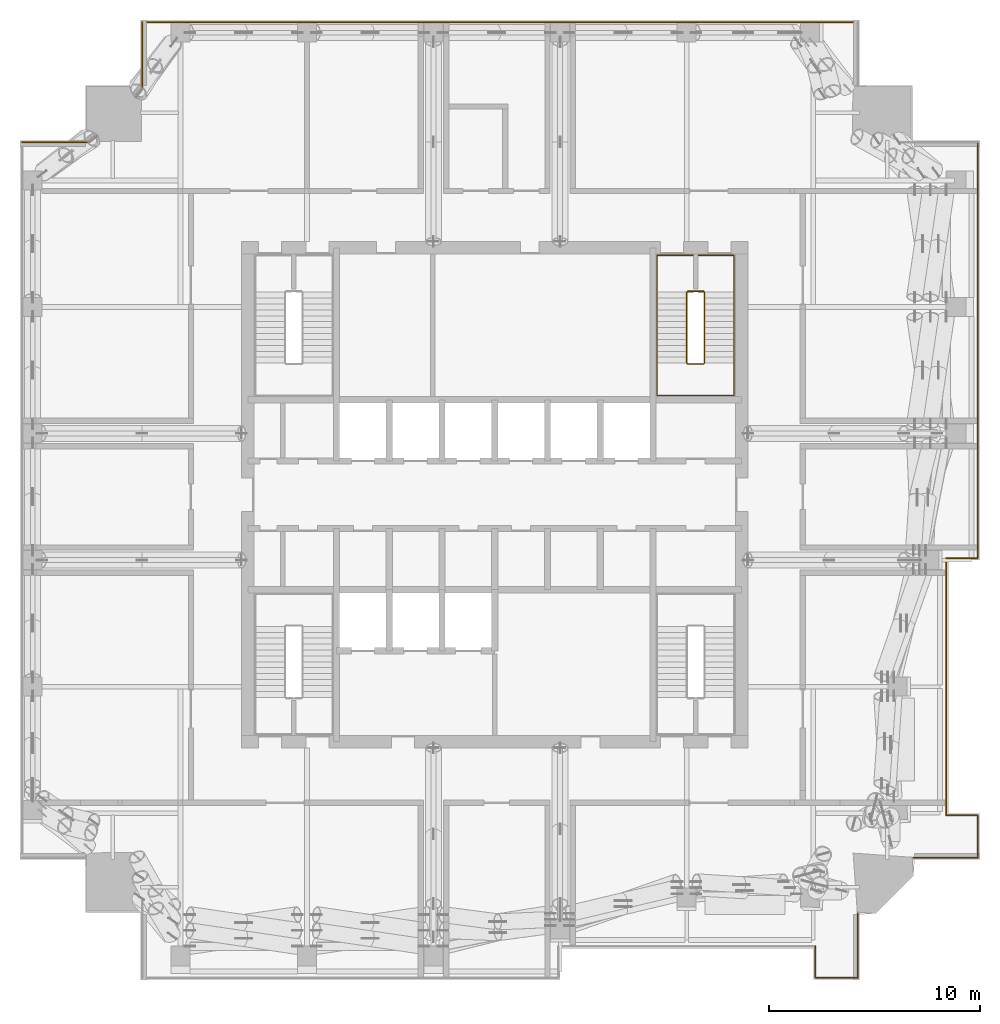
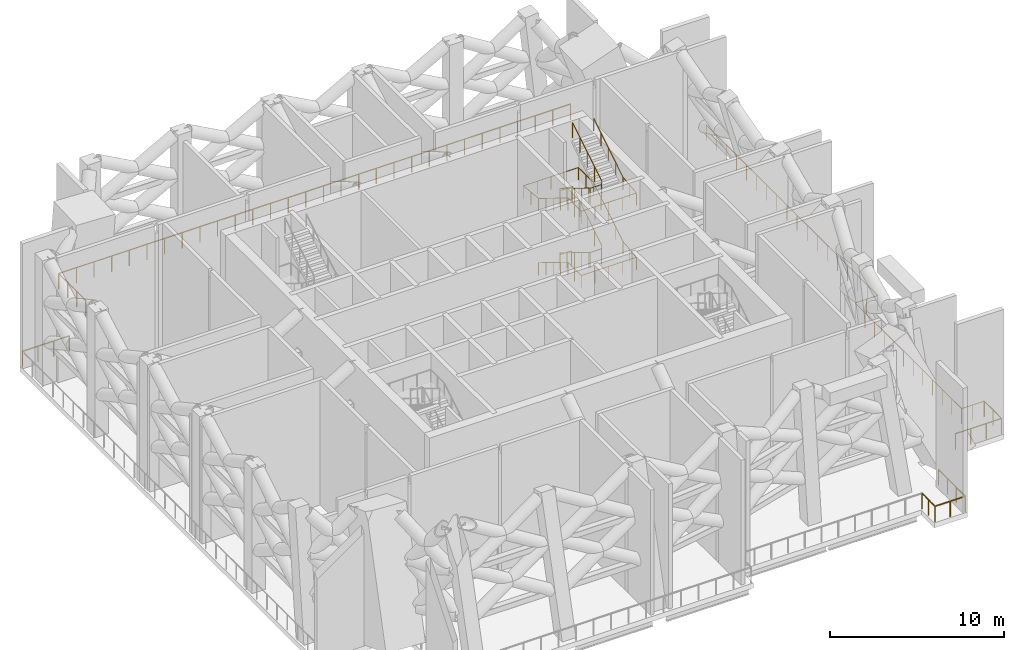
# One storey, part 17 of 18: 14 railings.
"""IFC4 building model written with IfcOpenShell, lengths in metres."""

from ifc_helpers import new_model, si_unit, direction, frame, origin, origin_2d, place, context, subcontext, project, spatial, circle, extrude, material, type_object, element, save


model = new_model("IFC4")

# Units and contexts
model_context = context("Model", 3, precision=1e-05, world=origin(), true_north=direction((0.0, 1.0)))
body_context = subcontext(model_context, "Body", "Model", "MODEL_VIEW")
ifc_project = project(units=[si_unit("LENGTHUNIT", "METRE"), si_unit("AREAUNIT", "SQUARE_METRE"), si_unit("VOLUMEUNIT", "CUBIC_METRE"), si_unit("PLANEANGLEUNIT", "RADIAN"), si_unit("MASSUNIT", "GRAM", prefix="KILO")], contexts=[model_context])

# Site, building, storey
site_placement = place(None, origin())
site = spatial("IfcSite", under=ifc_project, at=site_placement, CompositionType="ELEMENT")
building_placement = place(site_placement, origin())
building = spatial("IfcBuilding", under=site, at=building_placement, Name="Amberfall Residences", CompositionType="ELEMENT")
storey_placement = place(building_placement, frame((0.0, 0.0, 229.89990234375)))
storey = spatial("IfcBuildingStorey", under=building, at=storey_placement, Name="L62", CompositionType="ELEMENT", Elevation=229.89990234375)

# Railings
ifc_material_1 = material(Name="Bronze anodised aluminium and laminated glass", Category="aluminium")
railing_type_1 = type_object("IfcRailingType", Name="Refuge edge guard 1100", PredefinedType="GUARDRAIL", material=ifc_material_1)
railing_1_placement = place(storey_placement, frame((91.699951171875, 22.60009765625, 0.0)))
element("IfcRailing", 1, at=railing_1_placement, inside=storey, type_object=railing_type_1, Name="Refuge edge guard L62 1", PredefinedType="GUARDRAIL", context=body_context, shape_type="SweptSolid", body=[
    extrude(circle(Radius=0.02392578125, at=origin_2d()), frame((0.0, 0.0, 1.076171875), z_axis=(-1.0, 0.0, 0.0), x_axis=(0.0, -1.0, 0.0)), (0.0, 0.0, 1.0), 2.0),
    extrude(circle(Radius=0.02099609375, at=origin_2d()), origin(), (0.0, 0.0, 1.0), 1.052001953125),
    extrude(circle(Radius=0.02099609375, at=origin_2d()), frame((-1.0, 0.0, 0.0)), (0.0, 0.0, 1.0), 1.052001953125),
    extrude(circle(Radius=0.02099609375, at=origin_2d()), frame((-2.0, 0.0, 0.0)), (0.0, 0.0, 1.0), 1.052001953125),
])
railing_2_placement = place(storey_placement, frame((89.699951171875, 22.60009765625, 0.0)))
element("IfcRailing", 2, at=railing_2_placement, inside=storey, type_object=railing_type_1, Name="Refuge edge guard L62 2", PredefinedType="GUARDRAIL", context=body_context, shape_type="SweptSolid", body=[
    extrude(circle(Radius=0.02392578125, at=origin_2d()), frame((0.0, 0.0, 1.076171875), z_axis=(0.0, 1.0, 0.0), x_axis=(-1.0, 0.0, 0.0)), (0.0, 0.0, 1.0), 1.5),
    extrude(circle(Radius=0.02099609375, at=origin_2d()), origin(), (0.0, 0.0, 1.0), 1.052001953125),
    extrude(circle(Radius=0.02099609375, at=origin_2d()), frame((0.0, 0.75, 0.0)), (0.0, 0.0, 1.0), 1.052001953125),
    extrude(circle(Radius=0.02099609375, at=origin_2d()), frame((0.0, 1.5, 0.0)), (0.0, 0.0, 1.0), 1.052001953125),
])
railing_3_placement = place(storey_placement, frame((52.10009765625, 62.199951171875, 0.0)))
element("IfcRailing", 3, at=railing_3_placement, inside=storey, type_object=railing_type_1, Name="Refuge edge guard L62 9", PredefinedType="GUARDRAIL", context=body_context, shape_type="SweptSolid", body=[
    extrude(circle(Radius=0.02392578125, at=origin_2d()), frame((0.0, 0.0, 1.076171875), z_axis=(1.0, 0.0, 0.0), x_axis=(0.0, 1.0, 0.0)), (0.0, 0.0, 1.0), 3.108154296875),
    extrude(circle(Radius=0.02099609375, at=origin_2d()), origin(), (0.0, 0.0, 1.0), 1.052001953125),
    extrude(circle(Radius=0.02099609375, at=origin_2d()), frame((1.0361328125, 0.0, 0.0)), (0.0, 0.0, 1.0), 1.052001953125),
    extrude(circle(Radius=0.02099609375, at=origin_2d()), frame((2.072021484375, 0.0, 0.0)), (0.0, 0.0, 1.0), 1.052001953125),
    extrude(circle(Radius=0.02099609375, at=origin_2d()), frame((3.108154296875, 0.0, 0.0)), (0.0, 0.0, 1.0), 1.052001953125),
])
railing_4_placement = place(storey_placement, frame((57.800048828125, 64.791748046875, 0.0)))
element("IfcRailing", 4, at=railing_4_placement, inside=storey, type_object=railing_type_1, Name="Refuge edge guard L62 10", PredefinedType="GUARDRAIL", context=body_context, shape_type="SweptSolid", body=[
    extrude(circle(Radius=0.02392578125, at=origin_2d()), frame((0.0, 0.0, 1.076171875), z_axis=(0.0, 1.0, 0.0), x_axis=(-1.0, 0.0, 0.0)), (0.0, 0.0, 1.0), 3.108154296875),
    extrude(circle(Radius=0.02099609375, at=origin_2d()), origin(), (0.0, 0.0, 1.0), 1.052001953125),
    extrude(circle(Radius=0.02099609375, at=origin_2d()), frame((0.0, 1.0361328125, 0.0)), (0.0, 0.0, 1.0), 1.052001953125),
    extrude(circle(Radius=0.02099609375, at=origin_2d()), frame((0.0, 2.072021484375, 0.0)), (0.0, 0.0, 1.0), 1.052001953125),
    extrude(circle(Radius=0.02099609375, at=origin_2d()), frame((0.0, 3.108154296875, 0.0)), (0.0, 0.0, 1.0), 1.052001953125),
])
railing_5_placement = place(storey_placement, frame((57.800048828125, 67.89990234375, 0.0)))
element("IfcRailing", 5, at=railing_5_placement, inside=storey, type_object=railing_type_1, Name="Refuge edge guard L62 11", PredefinedType="GUARDRAIL", context=body_context, shape_type="SweptSolid", body=[
    extrude(circle(Radius=0.02392578125, at=origin_2d()), frame((0.0, 0.0, 1.076171875), z_axis=(1.0, 0.0, 0.0), x_axis=(0.0, 1.0, 0.0)), (0.0, 0.0, 1.0), 33.89990234375),
    extrude(circle(Radius=0.02099609375, at=origin_2d()), origin(), (0.0, 0.0, 1.0), 1.052001953125),
    extrude(circle(Radius=0.02099609375, at=origin_2d()), frame((1.1689453125, 0.0, 0.0)), (0.0, 0.0, 1.0), 1.052001953125),
    extrude(circle(Radius=0.02099609375, at=origin_2d()), frame((2.337890625, 0.0, 0.0)), (0.0, 0.0, 1.0), 1.052001953125),
    extrude(circle(Radius=0.02099609375, at=origin_2d()), frame((3.5068359375, 0.0, 0.0)), (0.0, 0.0, 1.0), 1.052001953125),
    extrude(circle(Radius=0.02099609375, at=origin_2d()), frame((4.67578125, 0.0, 0.0)), (0.0, 0.0, 1.0), 1.052001953125),
    extrude(circle(Radius=0.02099609375, at=origin_2d()), frame((5.8447265625, 0.0, 0.0)), (0.0, 0.0, 1.0), 1.052001953125),
    extrude(circle(Radius=0.02099609375, at=origin_2d()), frame((7.013671875, 0.0, 0.0)), (0.0, 0.0, 1.0), 1.052001953125),
    extrude(circle(Radius=0.02099609375, at=origin_2d()), frame((8.1826171875, 0.0, 0.0)), (0.0, 0.0, 1.0), 1.052001953125),
    extrude(circle(Radius=0.02099609375, at=origin_2d()), frame((9.351806640625, 0.0, 0.0)), (0.0, 0.0, 1.0), 1.052001953125),
    extrude(circle(Radius=0.02099609375, at=origin_2d()), frame((10.520751953125, 0.0, 0.0)), (0.0, 0.0, 1.0), 1.052001953125),
    extrude(circle(Radius=0.02099609375, at=origin_2d()), frame((11.689697265625, 0.0, 0.0)), (0.0, 0.0, 1.0), 1.052001953125),
    extrude(circle(Radius=0.02099609375, at=origin_2d()), frame((12.858642578125, 0.0, 0.0)), (0.0, 0.0, 1.0), 1.052001953125),
    extrude(circle(Radius=0.02099609375, at=origin_2d()), frame((14.027587890625, 0.0, 0.0)), (0.0, 0.0, 1.0), 1.052001953125),
    extrude(circle(Radius=0.02099609375, at=origin_2d()), frame((15.196533203125, 0.0, 0.0)), (0.0, 0.0, 1.0), 1.052001953125),
    extrude(circle(Radius=0.02099609375, at=origin_2d()), frame((16.365478515625, 0.0, 0.0)), (0.0, 0.0, 1.0), 1.052001953125),
    extrude(circle(Radius=0.02099609375, at=origin_2d()), frame((17.534423828125, 0.0, 0.0)), (0.0, 0.0, 1.0), 1.052001953125),
    extrude(circle(Radius=0.02099609375, at=origin_2d()), frame((18.703369140625, 0.0, 0.0)), (0.0, 0.0, 1.0), 1.052001953125),
    extrude(circle(Radius=0.02099609375, at=origin_2d()), frame((19.872314453125, 0.0, 0.0)), (0.0, 0.0, 1.0), 1.052001953125),
    extrude(circle(Radius=0.02099609375, at=origin_2d()), frame((21.041259765625, 0.0, 0.0)), (0.0, 0.0, 1.0), 1.052001953125),
    extrude(circle(Radius=0.02099609375, at=origin_2d()), frame((22.210205078125, 0.0, 0.0)), (0.0, 0.0, 1.0), 1.052001953125),
    extrude(circle(Radius=0.02099609375, at=origin_2d()), frame((23.379150390625, 0.0, 0.0)), (0.0, 0.0, 1.0), 1.052001953125),
    extrude(circle(Radius=0.02099609375, at=origin_2d()), frame((24.548095703125, 0.0, 0.0)), (0.0, 0.0, 1.0), 1.052001953125),
    extrude(circle(Radius=0.02099609375, at=origin_2d()), frame((25.71728515625, 0.0, 0.0)), (0.0, 0.0, 1.0), 1.052001953125),
    extrude(circle(Radius=0.02099609375, at=origin_2d()), frame((26.88623046875, 0.0, 0.0)), (0.0, 0.0, 1.0), 1.052001953125),
    extrude(circle(Radius=0.02099609375, at=origin_2d()), frame((28.05517578125, 0.0, 0.0)), (0.0, 0.0, 1.0), 1.052001953125),
    extrude(circle(Radius=0.02099609375, at=origin_2d()), frame((29.22412109375, 0.0, 0.0)), (0.0, 0.0, 1.0), 1.052001953125),
    extrude(circle(Radius=0.02099609375, at=origin_2d()), frame((30.39306640625, 0.0, 0.0)), (0.0, 0.0, 1.0), 1.052001953125),
    extrude(circle(Radius=0.02099609375, at=origin_2d()), frame((31.56201171875, 0.0, 0.0)), (0.0, 0.0, 1.0), 1.052001953125),
    extrude(circle(Radius=0.02099609375, at=origin_2d()), frame((32.73095703125, 0.0, 0.0)), (0.0, 0.0, 1.0), 1.052001953125),
    extrude(circle(Radius=0.02099609375, at=origin_2d()), frame((33.89990234375, 0.0, 0.0)), (0.0, 0.0, 1.0), 1.052001953125),
])
railing_6_placement = place(storey_placement, frame((97.39990234375, 62.199951171875, 0.0)))
element("IfcRailing", 6, at=railing_6_placement, inside=storey, type_object=railing_type_1, Name="Refuge edge guard L62 14", PredefinedType="GUARDRAIL", context=body_context, shape_type="SweptSolid", body=[
    extrude(circle(Radius=0.02392578125, at=origin_2d()), frame((0.0, 0.0, 1.076171875), z_axis=(0.0, -1.0, 0.0), x_axis=(1.0, 0.0, 0.0)), (0.0, 0.0, 1.0), 19.699951171875),
    extrude(circle(Radius=0.02099609375, at=origin_2d()), origin(), (0.0, 0.0, 1.0), 1.052001953125),
    extrude(circle(Radius=0.02099609375, at=origin_2d()), frame((0.0, -1.158935546875, 0.0)), (0.0, 0.0, 1.0), 1.052001953125),
    extrude(circle(Radius=0.02099609375, at=origin_2d()), frame((0.0, -2.317626953125, 0.0)), (0.0, 0.0, 1.0), 1.052001953125),
    extrude(circle(Radius=0.02099609375, at=origin_2d()), frame((0.0, -3.4765625, 0.0)), (0.0, 0.0, 1.0), 1.052001953125),
    extrude(circle(Radius=0.02099609375, at=origin_2d()), frame((0.0, -4.63525390625, 0.0)), (0.0, 0.0, 1.0), 1.052001953125),
    extrude(circle(Radius=0.02099609375, at=origin_2d()), frame((0.0, -5.794189453125, 0.0)), (0.0, 0.0, 1.0), 1.052001953125),
    extrude(circle(Radius=0.02099609375, at=origin_2d()), frame((0.0, -6.952880859375, 0.0)), (0.0, 0.0, 1.0), 1.052001953125),
    extrude(circle(Radius=0.02099609375, at=origin_2d()), frame((0.0, -8.11181640625, 0.0)), (0.0, 0.0, 1.0), 1.052001953125),
    extrude(circle(Radius=0.02099609375, at=origin_2d()), frame((0.0, -9.2705078125, 0.0)), (0.0, 0.0, 1.0), 1.052001953125),
    extrude(circle(Radius=0.02099609375, at=origin_2d()), frame((0.0, -10.429443359375, 0.0)), (0.0, 0.0, 1.0), 1.052001953125),
    extrude(circle(Radius=0.02099609375, at=origin_2d()), frame((0.0, -11.588134765625, 0.0)), (0.0, 0.0, 1.0), 1.052001953125),
    extrude(circle(Radius=0.02099609375, at=origin_2d()), frame((0.0, -12.7470703125, 0.0)), (0.0, 0.0, 1.0), 1.052001953125),
    extrude(circle(Radius=0.02099609375, at=origin_2d()), frame((0.0, -13.90576171875, 0.0)), (0.0, 0.0, 1.0), 1.052001953125),
    extrude(circle(Radius=0.02099609375, at=origin_2d()), frame((0.0, -15.064697265625, 0.0)), (0.0, 0.0, 1.0), 1.052001953125),
    extrude(circle(Radius=0.02099609375, at=origin_2d()), frame((0.0, -16.223388671875, 0.0)), (0.0, 0.0, 1.0), 1.052001953125),
    extrude(circle(Radius=0.02099609375, at=origin_2d()), frame((0.0, -17.38232421875, 0.0)), (0.0, 0.0, 1.0), 1.052001953125),
    extrude(circle(Radius=0.02099609375, at=origin_2d()), frame((0.0, -18.541015625, 0.0)), (0.0, 0.0, 1.0), 1.052001953125),
    extrude(circle(Radius=0.02099609375, at=origin_2d()), frame((0.0, -19.699951171875, 0.0)), (0.0, 0.0, 1.0), 1.052001953125),
])
railing_7_placement = place(storey_placement, frame((97.39990234375, 42.5, 0.0)))
element("IfcRailing", 7, at=railing_7_placement, inside=storey, type_object=railing_type_1, Name="Refuge edge guard L62 15", PredefinedType="GUARDRAIL", context=body_context, shape_type="SweptSolid", body=[
    extrude(circle(Radius=0.02392578125, at=origin_2d()), frame((0.0, 0.0, 1.076171875), z_axis=(-1.0, 0.0, 0.0), x_axis=(0.0, -1.0, 0.0)), (0.0, 0.0, 1.0), 1.5),
    extrude(circle(Radius=0.02099609375, at=origin_2d()), origin(), (0.0, 0.0, 1.0), 1.052001953125),
    extrude(circle(Radius=0.02099609375, at=origin_2d()), frame((-0.75, 0.0, 0.0)), (0.0, 0.0, 1.0), 1.052001953125),
    extrude(circle(Radius=0.02099609375, at=origin_2d()), frame((-1.5, 0.0, 0.0)), (0.0, 0.0, 1.0), 1.052001953125),
])
railing_8_placement = place(storey_placement, frame((95.89990234375, 42.5, 0.0)))
element("IfcRailing", 8, at=railing_8_placement, inside=storey, type_object=railing_type_1, Name="Refuge edge guard L62 16", PredefinedType="GUARDRAIL", context=body_context, shape_type="SweptSolid", body=[
    extrude(circle(Radius=0.02392578125, at=origin_2d()), frame((0.0, 0.0, 1.076171875), z_axis=(0.0, -1.0, 0.0), x_axis=(1.0, 0.0, 0.0)), (0.0, 0.0, 1.0), 12.199951171875),
    extrude(circle(Radius=0.02099609375, at=origin_2d()), origin(), (0.0, 0.0, 1.0), 1.052001953125),
    extrude(circle(Radius=0.02099609375, at=origin_2d()), frame((0.0, -1.109130859375, 0.0)), (0.0, 0.0, 1.0), 1.052001953125),
    extrude(circle(Radius=0.02099609375, at=origin_2d()), frame((0.0, -2.21826171875, 0.0)), (0.0, 0.0, 1.0), 1.052001953125),
    extrude(circle(Radius=0.02099609375, at=origin_2d()), frame((0.0, -3.3271484375, 0.0)), (0.0, 0.0, 1.0), 1.052001953125),
    extrude(circle(Radius=0.02099609375, at=origin_2d()), frame((0.0, -4.436279296875, 0.0)), (0.0, 0.0, 1.0), 1.052001953125),
    extrude(circle(Radius=0.02099609375, at=origin_2d()), frame((0.0, -5.54541015625, 0.0)), (0.0, 0.0, 1.0), 1.052001953125),
    extrude(circle(Radius=0.02099609375, at=origin_2d()), frame((0.0, -6.654541015625, 0.0)), (0.0, 0.0, 1.0), 1.052001953125),
    extrude(circle(Radius=0.02099609375, at=origin_2d()), frame((0.0, -7.763671875, 0.0)), (0.0, 0.0, 1.0), 1.052001953125),
    extrude(circle(Radius=0.02099609375, at=origin_2d()), frame((0.0, -8.872802734375, 0.0)), (0.0, 0.0, 1.0), 1.052001953125),
    extrude(circle(Radius=0.02099609375, at=origin_2d()), frame((0.0, -9.981689453125, 0.0)), (0.0, 0.0, 1.0), 1.052001953125),
    extrude(circle(Radius=0.02099609375, at=origin_2d()), frame((0.0, -11.0908203125, 0.0)), (0.0, 0.0, 1.0), 1.052001953125),
    extrude(circle(Radius=0.02099609375, at=origin_2d()), frame((0.0, -12.199951171875, 0.0)), (0.0, 0.0, 1.0), 1.052001953125),
])
railing_9_placement = place(storey_placement, frame((95.89990234375, 30.300048828125, 0.0)))
element("IfcRailing", 9, at=railing_9_placement, inside=storey, type_object=railing_type_1, Name="Refuge edge guard L62 17", PredefinedType="GUARDRAIL", context=body_context, shape_type="SweptSolid", body=[
    extrude(circle(Radius=0.02392578125, at=origin_2d()), frame((0.0, 0.0, 1.076171875), z_axis=(1.0, 0.0, 0.0), x_axis=(0.0, 1.0, 0.0)), (0.0, 0.0, 1.0), 1.5),
    extrude(circle(Radius=0.02099609375, at=origin_2d()), origin(), (0.0, 0.0, 1.0), 1.052001953125),
    extrude(circle(Radius=0.02099609375, at=origin_2d()), frame((0.75, 0.0, 0.0)), (0.0, 0.0, 1.0), 1.052001953125),
    extrude(circle(Radius=0.02099609375, at=origin_2d()), frame((1.5, 0.0, 0.0)), (0.0, 0.0, 1.0), 1.052001953125),
])
railing_10_placement = place(storey_placement, frame((97.39990234375, 30.300048828125, 0.0)))
element("IfcRailing", 10, at=railing_10_placement, inside=storey, type_object=railing_type_1, Name="Refuge edge guard L62 18", PredefinedType="GUARDRAIL", context=body_context, shape_type="SweptSolid", body=[
    extrude(circle(Radius=0.02392578125, at=origin_2d()), frame((0.0, 0.0, 1.076171875), z_axis=(0.0, -1.0, 0.0), x_axis=(1.0, 0.0, 0.0)), (0.0, 0.0, 1.0), 2.0),
    extrude(circle(Radius=0.02099609375, at=origin_2d()), origin(), (0.0, 0.0, 1.0), 1.052001953125),
    extrude(circle(Radius=0.02099609375, at=origin_2d()), frame((0.0, -1.0, 0.0)), (0.0, 0.0, 1.0), 1.052001953125),
    extrude(circle(Radius=0.02099609375, at=origin_2d()), frame((0.0, -2.0, 0.0)), (0.0, 0.0, 1.0), 1.052001953125),
])
railing_11_placement = place(storey_placement, frame((97.39990234375, 28.300048828125, 0.0)))
element("IfcRailing", 11, at=railing_11_placement, inside=storey, type_object=railing_type_1, Name="Refuge edge guard L62 19", PredefinedType="GUARDRAIL", context=body_context, shape_type="SweptSolid", body=[
    extrude(circle(Radius=0.02392578125, at=origin_2d()), frame((0.0, 0.0, 1.076171875), z_axis=(-1.0, 0.0, 0.0), x_axis=(0.0, -1.0, 0.0)), (0.0, 0.0, 1.0), 3.06298828125),
    extrude(circle(Radius=0.02099609375, at=origin_2d()), origin(), (0.0, 0.0, 1.0), 1.052001953125),
    extrude(circle(Radius=0.02099609375, at=origin_2d()), frame((-1.02099609375, 0.0, 0.0)), (0.0, 0.0, 1.0), 1.052001953125),
    extrude(circle(Radius=0.02099609375, at=origin_2d()), frame((-2.0419921875, 0.0, 0.0)), (0.0, 0.0, 1.0), 1.052001953125),
    extrude(circle(Radius=0.02099609375, at=origin_2d()), frame((-3.06298828125, 0.0, 0.0)), (0.0, 0.0, 1.0), 1.052001953125),
])
railing_12_placement = place(storey_placement, frame((91.699951171875, 25.6630859375, 0.0)))
element("IfcRailing", 12, at=railing_12_placement, inside=storey, type_object=railing_type_1, Name="Refuge edge guard L62 20", PredefinedType="GUARDRAIL", context=body_context, shape_type="SweptSolid", body=[
    extrude(circle(Radius=0.02392578125, at=origin_2d()), frame((0.0, 0.0, 1.076171875), z_axis=(0.0, -1.0, 0.0), x_axis=(1.0, 0.0, 0.0)), (0.0, 0.0, 1.0), 3.06298828125),
    extrude(circle(Radius=0.02099609375, at=origin_2d()), origin(), (0.0, 0.0, 1.0), 1.052001953125),
    extrude(circle(Radius=0.02099609375, at=origin_2d()), frame((0.0, -1.02099609375, 0.0)), (0.0, 0.0, 1.0), 1.052001953125),
    extrude(circle(Radius=0.02099609375, at=origin_2d()), frame((0.0, -2.0419921875, 0.0)), (0.0, 0.0, 1.0), 1.052001953125),
    extrude(circle(Radius=0.02099609375, at=origin_2d()), frame((0.0, -3.06298828125, 0.0)), (0.0, 0.0, 1.0), 1.052001953125),
])
ifc_material_2 = material(Name="Stainless steel 316", Category="steel")
railing_type_2 = type_object("IfcRailingType", Name="Stair guard 1100", PredefinedType="GUARDRAIL", material=ifc_material_2)
railing_13_placement = place(storey_placement, frame((84.39990234375, 55.14990234375, 0.0)))
element("IfcRailing", 13, at=railing_13_placement, inside=storey, type_object=railing_type_2, Name="L62 stair 3 guard", PredefinedType="GUARDRAIL", context=body_context, shape_type="SweptSolid", body=[
    extrude(circle(Radius=0.02392578125, at=origin_2d()), frame((0.0, 0.0, 1.076171875), z_axis=(-1.0, 0.0, 0.0), x_axis=(0.0, -1.0, 0.0)), (0.0, 0.0, 1.0), 0.75),
    extrude(circle(Radius=0.02392578125, at=origin_2d()), frame((-0.75, 0.0, 1.076171875), z_axis=(-0.26651005591, -0.26651005591, 0.926253086471), x_axis=(0.707106781187, -0.707106781187, 0.0)), (0.0, 0.0, 1.0), 0.186767578125),
    extrude(circle(Radius=0.02392578125, at=origin_2d()), frame((-0.7998046875, -0.0498046875, 1.2490234375), z_axis=(0.0, -0.850623216509, 0.525775754039), x_axis=(1.0, 0.0, 0.0)), (0.0, 0.0, 1.0), 3.9501953125),
    extrude(circle(Radius=0.02392578125, at=origin_2d()), frame((-0.7998046875, -3.409912109375, 3.326171875), z_axis=(0.705375805398, -0.708833529934, 0.0), x_axis=(0.708833529934, 0.705375805398, 0.0)), (0.0, 0.0, 1.0), 0.070556640625),
    extrude(circle(Radius=0.02392578125, at=origin_2d()), frame((-0.75, -3.4599609375, 3.326171875), z_axis=(1.0, 0.0, 0.0), x_axis=(0.0, 1.0, 0.0)), (0.0, 0.0, 1.0), 0.75),
    extrude(circle(Radius=0.02392578125, at=origin_2d()), frame((0.0, -3.4599609375, 3.326171875), z_axis=(0.267629722418, 0.267629722418, 0.925607186314), x_axis=(-0.707106781187, 0.707106781187, 0.0)), (0.0, 0.0, 1.0), 0.18701171875),
    extrude(circle(Radius=0.02392578125, at=origin_2d()), frame((0.050048828125, -3.409912109375, 3.4990234375), z_axis=(0.0, 0.850623216509, 0.525775754039), x_axis=(-1.0, 0.0, 0.0)), (0.0, 0.0, 1.0), 3.9501953125),
    extrude(circle(Radius=0.02392578125, at=origin_2d()), frame((0.050048828125, -0.0498046875, 5.576171875), z_axis=(-0.998067954185, 0.062131785979, 0.0), x_axis=(-0.062131785979, -0.998067954185, 0.0)), (0.0, 0.0, 1.0), 0.801513671875),
    extrude(circle(Radius=0.02392578125, at=origin_2d()), frame((-0.75, 0.0, 5.576171875), z_axis=(1.0, 0.0, 0.0), x_axis=(0.0, 1.0, 0.0)), (0.0, 0.0, 1.0), 0.75),
    extrude(circle(Radius=0.02392578125, at=origin_2d()), frame((0.0, 0.0, 5.576171875), z_axis=(-0.975567336186, -0.060749614341, 0.211134689059), x_axis=(0.062150678478, -0.998066777909, 0.0)), (0.0, 0.0, 1.0), 0.81982421875),
    extrude(circle(Radius=0.02392578125, at=origin_2d()), frame((-0.7998046875, -0.0498046875, 5.7490234375), z_axis=(0.0, -0.850623216509, 0.525775754039), x_axis=(1.0, 0.0, 0.0)), (0.0, 0.0, 1.0), 3.9501953125),
    extrude(circle(Radius=0.02392578125, at=origin_2d()), frame((-0.7998046875, -3.409912109375, 7.826171875), z_axis=(0.705375805398, -0.708833529934, 0.0), x_axis=(0.708833529934, 0.705375805398, 0.0)), (0.0, 0.0, 1.0), 0.070556640625),
    extrude(circle(Radius=0.02392578125, at=origin_2d()), frame((-0.75, -3.4599609375, 7.826171875), z_axis=(1.0, 0.0, 0.0), x_axis=(0.0, 1.0, 0.0)), (0.0, 0.0, 1.0), 0.75),
    extrude(circle(Radius=0.02392578125, at=origin_2d()), frame((0.0, -3.4599609375, 7.826171875), z_axis=(0.267629722418, 0.267629722418, 0.925607186314), x_axis=(-0.707106781187, 0.707106781187, 0.0)), (0.0, 0.0, 1.0), 0.18701171875),
    extrude(circle(Radius=0.02392578125, at=origin_2d()), frame((0.050048828125, -3.409912109375, 7.9990234375), z_axis=(0.0, 0.850623216509, 0.525775754039), x_axis=(-1.0, 0.0, 0.0)), (0.0, 0.0, 1.0), 3.9501953125),
    extrude(circle(Radius=0.02099609375, at=origin_2d()), origin(), (0.0, 0.0, 1.0), 1.052001953125),
    extrude(circle(Radius=0.02099609375, at=origin_2d()), frame((-0.75, 0.0, 0.0)), (0.0, 0.0, 1.0), 1.052001953125),
    extrude(circle(Radius=0.02099609375, at=origin_2d()), frame((-0.7998046875, -0.0498046875, 0.173095703125)), (0.0, 0.0, 1.0), 1.052001953125),
    extrude(circle(Radius=0.02099609375, at=origin_2d()), frame((-0.7998046875, -0.889892578125, 0.6923828125)), (0.0, 0.0, 1.0), 1.052001953125),
    extrude(circle(Radius=0.02099609375, at=origin_2d()), frame((-0.7998046875, -1.72998046875, 1.21142578125)), (0.0, 0.0, 1.0), 1.052001953125),
    extrude(circle(Radius=0.02099609375, at=origin_2d()), frame((-0.7998046875, -2.56982421875, 1.730712890625)), (0.0, 0.0, 1.0), 1.052001953125),
    extrude(circle(Radius=0.02099609375, at=origin_2d()), frame((-0.7998046875, -3.409912109375, 2.25)), (0.0, 0.0, 1.0), 1.052001953125),
    extrude(circle(Radius=0.02099609375, at=origin_2d()), frame((-0.75, -3.4599609375, 2.25)), (0.0, 0.0, 1.0), 1.052001953125),
    extrude(circle(Radius=0.02099609375, at=origin_2d()), frame((0.0, -3.4599609375, 2.25)), (0.0, 0.0, 1.0), 1.052001953125),
    extrude(circle(Radius=0.02099609375, at=origin_2d()), frame((0.050048828125, -3.409912109375, 2.423095703125)), (0.0, 0.0, 1.0), 1.052001953125),
    extrude(circle(Radius=0.02099609375, at=origin_2d()), frame((0.050048828125, -2.56982421875, 2.9423828125)), (0.0, 0.0, 1.0), 1.052001953125),
    extrude(circle(Radius=0.02099609375, at=origin_2d()), frame((0.050048828125, -1.72998046875, 3.46142578125)), (0.0, 0.0, 1.0), 1.052001953125),
    extrude(circle(Radius=0.02099609375, at=origin_2d()), frame((0.050048828125, -0.889892578125, 3.980712890625)), (0.0, 0.0, 1.0), 1.052001953125),
    extrude(circle(Radius=0.02099609375, at=origin_2d()), frame((0.050048828125, -0.0498046875, 4.5)), (0.0, 0.0, 1.0), 1.052001953125),
    extrude(circle(Radius=0.02099609375, at=origin_2d()), frame((-0.75, 0.0, 4.5)), (0.0, 0.0, 1.0), 1.052001953125),
    extrude(circle(Radius=0.02099609375, at=origin_2d()), frame((0.0, 0.0, 4.5)), (0.0, 0.0, 1.0), 1.052001953125),
    extrude(circle(Radius=0.02099609375, at=origin_2d()), frame((-0.7998046875, -0.0498046875, 4.673095703125)), (0.0, 0.0, 1.0), 1.052001953125),
    extrude(circle(Radius=0.02099609375, at=origin_2d()), frame((-0.7998046875, -0.889892578125, 5.1923828125)), (0.0, 0.0, 1.0), 1.052001953125),
    extrude(circle(Radius=0.02099609375, at=origin_2d()), frame((-0.7998046875, -1.72998046875, 5.71142578125)), (0.0, 0.0, 1.0), 1.052001953125),
    extrude(circle(Radius=0.02099609375, at=origin_2d()), frame((-0.7998046875, -2.56982421875, 6.230712890625)), (0.0, 0.0, 1.0), 1.052001953125),
    extrude(circle(Radius=0.02099609375, at=origin_2d()), frame((-0.7998046875, -3.409912109375, 6.75)), (0.0, 0.0, 1.0), 1.052001953125),
    extrude(circle(Radius=0.02099609375, at=origin_2d()), frame((-0.75, -3.4599609375, 6.75)), (0.0, 0.0, 1.0), 1.052001953125),
    extrude(circle(Radius=0.02099609375, at=origin_2d()), frame((0.0, -3.4599609375, 6.75)), (0.0, 0.0, 1.0), 1.052001953125),
    extrude(circle(Radius=0.02099609375, at=origin_2d()), frame((0.050048828125, -3.409912109375, 6.923095703125)), (0.0, 0.0, 1.0), 1.052001953125),
    extrude(circle(Radius=0.02099609375, at=origin_2d()), frame((0.050048828125, -2.56982421875, 7.4423828125)), (0.0, 0.0, 1.0), 1.052001953125),
    extrude(circle(Radius=0.02099609375, at=origin_2d()), frame((0.050048828125, -1.72998046875, 7.96142578125)), (0.0, 0.0, 1.0), 1.052001953125),
    extrude(circle(Radius=0.02099609375, at=origin_2d()), frame((0.050048828125, -0.889892578125, 8.480712890625)), (0.0, 0.0, 1.0), 1.052001953125),
    extrude(circle(Radius=0.02099609375, at=origin_2d()), frame((0.050048828125, -0.0498046875, 9.0)), (0.0, 0.0, 1.0), 1.052001953125),
])
railing_type_3 = type_object("IfcRailingType", Name="Stair handrail 900", PredefinedType="HANDRAIL", material=ifc_material_2)
railing_14_placement = place(storey_placement, frame((82.199951171875, 55.10009765625, 0.173095703125)))
element("IfcRailing", 14, at=railing_14_placement, inside=storey, type_object=railing_type_3, Name="L62 stair 3 handrail", PredefinedType="HANDRAIL", context=body_context, shape_type="SweptSolid", body=[
    extrude(circle(Radius=0.02392578125, at=origin_2d()), frame((0.0, 0.0, 0.8759765625), z_axis=(0.0, -0.850623216509, 0.525775754039), x_axis=(1.0, 0.0, 0.0)), (0.0, 0.0, 1.0), 3.9501953125),
    extrude(circle(Radius=0.02392578125, at=origin_2d()), frame((0.0, -3.360107421875, 2.95263671875), z_axis=(0.0, -1.0, 0.0), x_axis=(1.0, 0.0, 0.0)), (0.0, 0.0, 1.0), 1.5400390625),
    extrude(circle(Radius=0.02392578125, at=origin_2d()), frame((0.0, -4.900146484375, 2.95263671875), z_axis=(1.0, 0.0, 0.0), x_axis=(0.0, 1.0, 0.0)), (0.0, 0.0, 1.0), 3.650146484375),
    extrude(circle(Radius=0.02392578125, at=origin_2d()), frame((3.650146484375, -4.900146484375, 2.95263671875), z_axis=(0.0, 0.993742686923, 0.111693653302), x_axis=(-1.0, 0.0, 0.0)), (0.0, 0.0, 1.0), 1.5498046875),
    extrude(circle(Radius=0.02392578125, at=origin_2d()), frame((3.650146484375, -3.360107421875, 3.1259765625), z_axis=(0.0, 0.850623216509, 0.525775754039), x_axis=(-1.0, 0.0, 0.0)), (0.0, 0.0, 1.0), 3.9501953125),
    extrude(circle(Radius=0.02392578125, at=origin_2d()), frame((3.650146484375, 0.0, 5.20263671875), z_axis=(0.0, 1.0, 0.0), x_axis=(-1.0, 0.0, 0.0)), (0.0, 0.0, 1.0), 1.75),
    extrude(circle(Radius=0.02392578125, at=origin_2d()), frame((3.650146484375, 1.75, 5.20263671875), z_axis=(-1.0, 0.0, 0.0), x_axis=(0.0, -1.0, 0.0)), (0.0, 0.0, 1.0), 3.650146484375),
    extrude(circle(Radius=0.02392578125, at=origin_2d()), frame((0.0, 1.75, 5.20263671875), z_axis=(0.0, -0.995143828942, 0.098431497589), x_axis=(1.0, 0.0, 0.0)), (0.0, 0.0, 1.0), 1.758544921875),
    extrude(circle(Radius=0.02392578125, at=origin_2d()), frame((0.0, 0.0, 5.3759765625), z_axis=(0.0, -0.850623216509, 0.525775754039), x_axis=(1.0, 0.0, 0.0)), (0.0, 0.0, 1.0), 3.9501953125),
    extrude(circle(Radius=0.02392578125, at=origin_2d()), frame((0.0, -3.360107421875, 7.45263671875), z_axis=(0.0, -1.0, 0.0), x_axis=(1.0, 0.0, 0.0)), (0.0, 0.0, 1.0), 1.5400390625),
    extrude(circle(Radius=0.02392578125, at=origin_2d()), frame((0.0, -4.900146484375, 7.45263671875), z_axis=(1.0, 0.0, 0.0), x_axis=(0.0, 1.0, 0.0)), (0.0, 0.0, 1.0), 3.650146484375),
    extrude(circle(Radius=0.02392578125, at=origin_2d()), frame((3.650146484375, -4.900146484375, 7.45263671875), z_axis=(0.0, 0.993742686923, 0.111693653302), x_axis=(-1.0, 0.0, 0.0)), (0.0, 0.0, 1.0), 1.5498046875),
    extrude(circle(Radius=0.02392578125, at=origin_2d()), frame((3.650146484375, -3.360107421875, 7.6259765625), z_axis=(0.0, 0.850623216509, 0.525775754039), x_axis=(-1.0, 0.0, 0.0)), (0.0, 0.0, 1.0), 3.9501953125),
    extrude(circle(Radius=0.02099609375, at=origin_2d()), origin(), (0.0, 0.0, 1.0), 0.851806640625),
    extrude(circle(Radius=0.02099609375, at=origin_2d()), frame((0.0, -0.840087890625, 0.519287109375)), (0.0, 0.0, 1.0), 0.851806640625),
    extrude(circle(Radius=0.02099609375, at=origin_2d()), frame((0.0, -1.68017578125, 1.03857421875)), (0.0, 0.0, 1.0), 0.851806640625),
    extrude(circle(Radius=0.02099609375, at=origin_2d()), frame((0.0, -2.52001953125, 1.5576171875)), (0.0, 0.0, 1.0), 0.851806640625),
    extrude(circle(Radius=0.02099609375, at=origin_2d()), frame((0.0, -3.360107421875, 2.076904296875)), (0.0, 0.0, 1.0), 0.851806640625),
    extrude(circle(Radius=0.02099609375, at=origin_2d()), frame((0.0, -4.130126953125, 2.076904296875)), (0.0, 0.0, 1.0), 0.851806640625),
    extrude(circle(Radius=0.02099609375, at=origin_2d()), frame((0.0, -4.900146484375, 2.076904296875)), (0.0, 0.0, 1.0), 0.851806640625),
    extrude(circle(Radius=0.02099609375, at=origin_2d()), frame((0.91259765625, -4.900146484375, 2.076904296875)), (0.0, 0.0, 1.0), 0.851806640625),
    extrude(circle(Radius=0.02099609375, at=origin_2d()), frame((1.8251953125, -4.900146484375, 2.076904296875)), (0.0, 0.0, 1.0), 0.851806640625),
    extrude(circle(Radius=0.02099609375, at=origin_2d()), frame((2.737548828125, -4.900146484375, 2.076904296875)), (0.0, 0.0, 1.0), 0.851806640625),
    extrude(circle(Radius=0.02099609375, at=origin_2d()), frame((3.650146484375, -4.900146484375, 2.076904296875)), (0.0, 0.0, 1.0), 0.851806640625),
    extrude(circle(Radius=0.02099609375, at=origin_2d()), frame((3.650146484375, -4.130126953125, 2.16357421875)), (0.0, 0.0, 1.0), 0.851806640625),
    extrude(circle(Radius=0.02099609375, at=origin_2d()), frame((3.650146484375, -3.360107421875, 2.25)), (0.0, 0.0, 1.0), 0.851806640625),
    extrude(circle(Radius=0.02099609375, at=origin_2d()), frame((3.650146484375, -2.52001953125, 2.769287109375)), (0.0, 0.0, 1.0), 0.851806640625),
    extrude(circle(Radius=0.02099609375, at=origin_2d()), frame((3.650146484375, -1.68017578125, 3.28857421875)), (0.0, 0.0, 1.0), 0.851806640625),
    extrude(circle(Radius=0.02099609375, at=origin_2d()), frame((3.650146484375, -0.840087890625, 3.8076171875)), (0.0, 0.0, 1.0), 0.851806640625),
    extrude(circle(Radius=0.02099609375, at=origin_2d()), frame((3.650146484375, 0.0, 4.326904296875)), (0.0, 0.0, 1.0), 0.851806640625),
    extrude(circle(Radius=0.02099609375, at=origin_2d()), frame((3.650146484375, 0.875, 4.326904296875)), (0.0, 0.0, 1.0), 0.851806640625),
    extrude(circle(Radius=0.02099609375, at=origin_2d()), frame((3.650146484375, 1.75, 4.326904296875)), (0.0, 0.0, 1.0), 0.851806640625),
    extrude(circle(Radius=0.02099609375, at=origin_2d()), frame((2.737548828125, 1.75, 4.326904296875)), (0.0, 0.0, 1.0), 0.851806640625),
    extrude(circle(Radius=0.02099609375, at=origin_2d()), frame((1.8251953125, 1.75, 4.326904296875)), (0.0, 0.0, 1.0), 0.851806640625),
    extrude(circle(Radius=0.02099609375, at=origin_2d()), frame((0.91259765625, 1.75, 4.326904296875)), (0.0, 0.0, 1.0), 0.851806640625),
    extrude(circle(Radius=0.02099609375, at=origin_2d()), frame((0.0, 1.75, 4.326904296875)), (0.0, 0.0, 1.0), 0.851806640625),
    extrude(circle(Radius=0.02099609375, at=origin_2d()), frame((0.0, 0.875, 4.41357421875)), (0.0, 0.0, 1.0), 0.851806640625),
    extrude(circle(Radius=0.02099609375, at=origin_2d()), frame((0.0, 0.0, 4.5)), (0.0, 0.0, 1.0), 0.851806640625),
    extrude(circle(Radius=0.02099609375, at=origin_2d()), frame((0.0, -0.840087890625, 5.019287109375)), (0.0, 0.0, 1.0), 0.851806640625),
    extrude(circle(Radius=0.02099609375, at=origin_2d()), frame((0.0, -1.68017578125, 5.53857421875)), (0.0, 0.0, 1.0), 0.851806640625),
    extrude(circle(Radius=0.02099609375, at=origin_2d()), frame((0.0, -2.52001953125, 6.0576171875)), (0.0, 0.0, 1.0), 0.851806640625),
    extrude(circle(Radius=0.02099609375, at=origin_2d()), frame((0.0, -3.360107421875, 6.576904296875)), (0.0, 0.0, 1.0), 0.851806640625),
    extrude(circle(Radius=0.02099609375, at=origin_2d()), frame((0.0, -4.130126953125, 6.576904296875)), (0.0, 0.0, 1.0), 0.851806640625),
    extrude(circle(Radius=0.02099609375, at=origin_2d()), frame((0.0, -4.900146484375, 6.576904296875)), (0.0, 0.0, 1.0), 0.851806640625),
    extrude(circle(Radius=0.02099609375, at=origin_2d()), frame((0.91259765625, -4.900146484375, 6.576904296875)), (0.0, 0.0, 1.0), 0.851806640625),
    extrude(circle(Radius=0.02099609375, at=origin_2d()), frame((1.8251953125, -4.900146484375, 6.576904296875)), (0.0, 0.0, 1.0), 0.851806640625),
    extrude(circle(Radius=0.02099609375, at=origin_2d()), frame((2.737548828125, -4.900146484375, 6.576904296875)), (0.0, 0.0, 1.0), 0.851806640625),
    extrude(circle(Radius=0.02099609375, at=origin_2d()), frame((3.650146484375, -4.900146484375, 6.576904296875)), (0.0, 0.0, 1.0), 0.851806640625),
    extrude(circle(Radius=0.02099609375, at=origin_2d()), frame((3.650146484375, -4.130126953125, 6.66357421875)), (0.0, 0.0, 1.0), 0.851806640625),
    extrude(circle(Radius=0.02099609375, at=origin_2d()), frame((3.650146484375, -3.360107421875, 6.75)), (0.0, 0.0, 1.0), 0.851806640625),
    extrude(circle(Radius=0.02099609375, at=origin_2d()), frame((3.650146484375, -2.52001953125, 7.269287109375)), (0.0, 0.0, 1.0), 0.851806640625),
    extrude(circle(Radius=0.02099609375, at=origin_2d()), frame((3.650146484375, -1.68017578125, 7.78857421875)), (0.0, 0.0, 1.0), 0.851806640625),
    extrude(circle(Radius=0.02099609375, at=origin_2d()), frame((3.650146484375, -0.840087890625, 8.3076171875)), (0.0, 0.0, 1.0), 0.851806640625),
    extrude(circle(Radius=0.02099609375, at=origin_2d()), frame((3.650146484375, 0.0, 8.826904296875)), (0.0, 0.0, 1.0), 0.851806640625),
])

save(model, "model.ifc")
